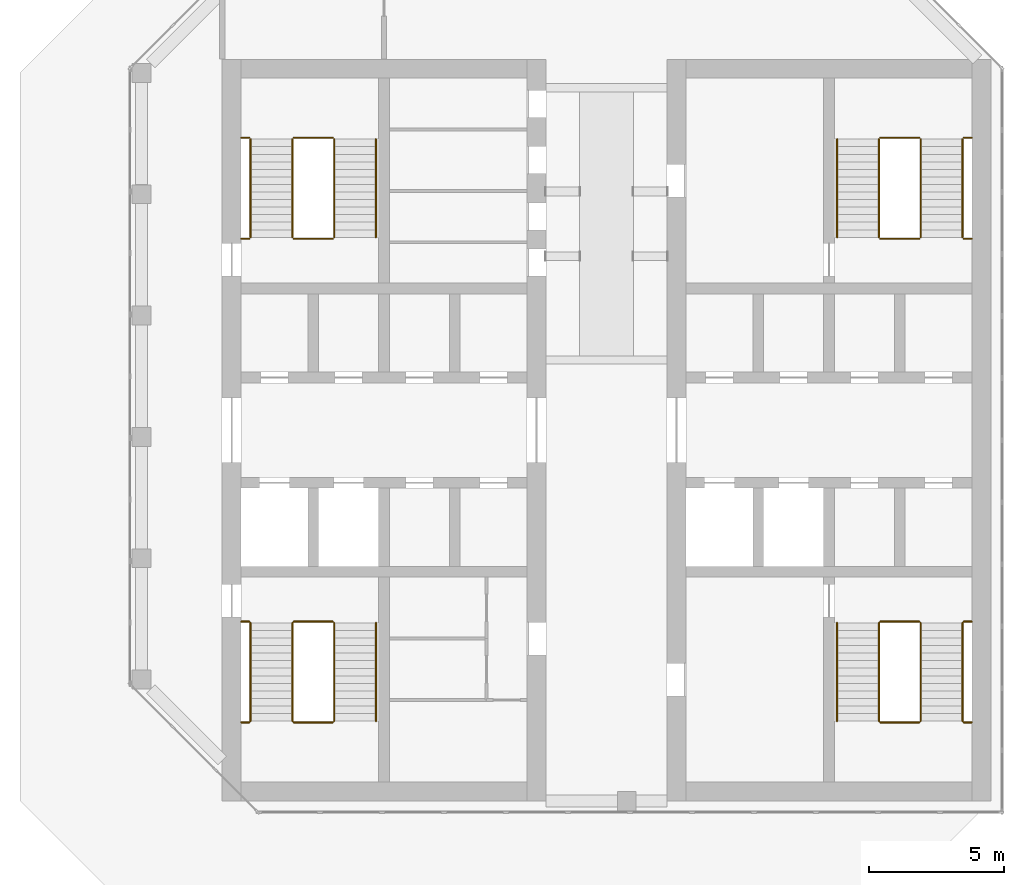
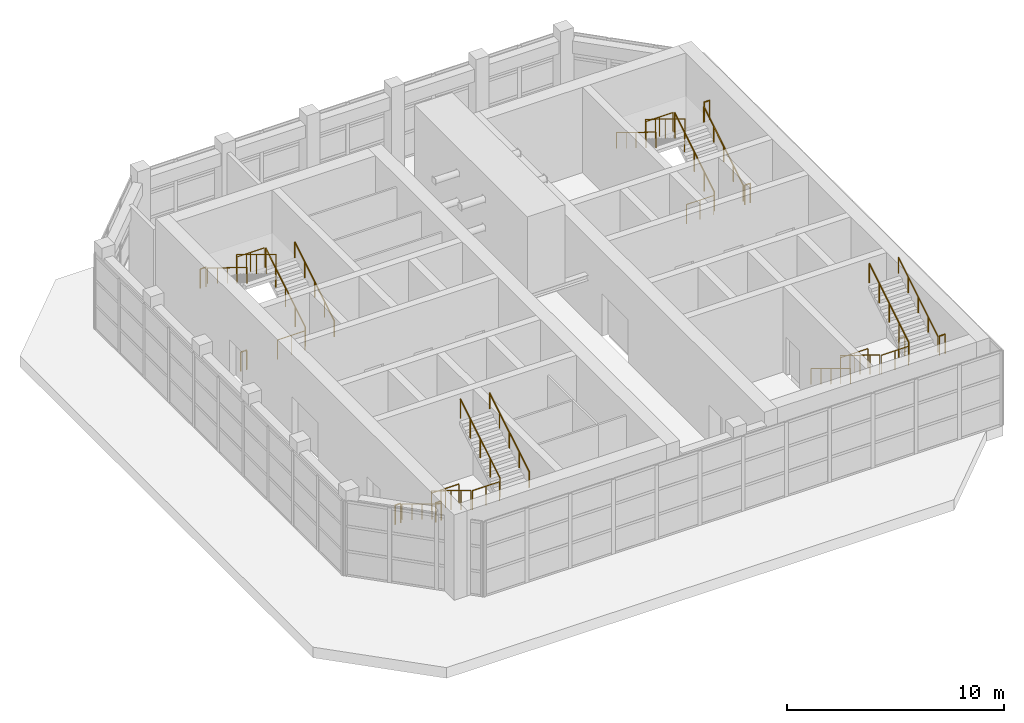
# One storey, part 13 of 13: 32 railings.
"""IFC4 building model written with IfcOpenShell, lengths in metres."""

from ifc_helpers import new_model, si_unit, direction, frame, origin, origin_2d, place, context, subcontext, project, spatial, circle, extrude, material, type_object, element, save


model = new_model("IFC4")

# Units and contexts
model_context = context("Model", 3, precision=1e-05, world=origin(), true_north=direction((0.0, 1.0)))
body_context = subcontext(model_context, "Body", "Model", "MODEL_VIEW")
ifc_project = project(units=[si_unit("LENGTHUNIT", "METRE"), si_unit("AREAUNIT", "SQUARE_METRE"), si_unit("VOLUMEUNIT", "CUBIC_METRE"), si_unit("PLANEANGLEUNIT", "RADIAN"), si_unit("MASSUNIT", "GRAM", prefix="KILO")], contexts=[model_context])

# Site, building, storey
site_placement = place(None, origin())
site = spatial("IfcSite", under=ifc_project, at=site_placement, CompositionType="ELEMENT")
building_placement = place(site_placement, origin())
building = spatial("IfcBuilding", under=site, at=building_placement, Name="Corbel Stack Research Tower", CompositionType="ELEMENT")
storey_placement = place(building_placement, frame((0.0, 0.0, 311.800048828125)))
storey = spatial("IfcBuildingStorey", under=building, at=storey_placement, Name="L70", CompositionType="ELEMENT", Elevation=311.800048828125)

# Railings
ifc_material_1 = material(Name="Steel S355", Category="steel")
railing_type_1 = type_object("IfcRailingType", Name="Stair guard 1100", PredefinedType="GUARDRAIL", material=ifc_material_1)
railing_1_placement = place(storey_placement, frame((-7.89990234375, -2.39990234375, 0.17138671875)))
element("IfcRailing", 1, at=railing_1_placement, inside=storey, type_object=railing_type_1, Name="L70 ST-W1 stair guard 1", PredefinedType="GUARDRAIL", context=body_context, shape_type="SweptSolid", body=[
    extrude(circle(Radius=0.02392578125, at=origin_2d()), frame((0.0, 0.0, 1.076171875), z_axis=(0.0, -0.852865859571, 0.52213008492), x_axis=(1.0, 0.0, 0.0)), (0.0, 0.0, 1.0), 4.26806640625),
    extrude(circle(Radius=0.02099609375, at=origin_2d()), origin(), (0.0, 0.0, 1.0), 1.052001953125),
    extrude(circle(Radius=0.02099609375, at=origin_2d()), frame((0.0, -0.91015625, 0.55712890625)), (0.0, 0.0, 1.0), 1.052001953125),
    extrude(circle(Radius=0.02099609375, at=origin_2d()), frame((0.0, -1.820068359375, 1.1142578125)), (0.0, 0.0, 1.0), 1.052001953125),
    extrude(circle(Radius=0.02099609375, at=origin_2d()), frame((0.0, -2.72998046875, 1.67138671875)), (0.0, 0.0, 1.0), 1.052001953125),
    extrude(circle(Radius=0.02099609375, at=origin_2d()), frame((0.0, -3.64013671875, 2.228515625)), (0.0, 0.0, 1.0), 1.052001953125),
])
railing_2_placement = place(storey_placement, frame((-7.85009765625, -6.090087890625, 2.39990234375)))
element("IfcRailing", 2, at=railing_2_placement, inside=storey, type_object=railing_type_1, Name="L70 ST-W1 stair guard 2", PredefinedType="GUARDRAIL", context=body_context, shape_type="SweptSolid", body=[
    extrude(circle(Radius=0.02392578125, at=origin_2d()), frame((0.0, 0.0, 1.076171875), z_axis=(1.0, 0.0, 0.0), x_axis=(0.0, 1.0, 0.0)), (0.0, 0.0, 1.0), 1.4501953125),
    extrude(circle(Radius=0.02099609375, at=origin_2d()), origin(), (0.0, 0.0, 1.0), 1.052001953125),
    extrude(circle(Radius=0.02099609375, at=origin_2d()), frame((0.72509765625, 0.0, 0.0)), (0.0, 0.0, 1.0), 1.052001953125),
    extrude(circle(Radius=0.02099609375, at=origin_2d()), frame((1.4501953125, 0.0, 0.0)), (0.0, 0.0, 1.0), 1.052001953125),
])
railing_3_placement = place(storey_placement, frame((-9.800048828125, -6.090087890625, 2.39990234375)))
element("IfcRailing", 3, at=railing_3_placement, inside=storey, type_object=railing_type_1, Name="L70 ST-W1 stair guard 3", PredefinedType="GUARDRAIL", context=body_context, shape_type="SweptSolid", body=[
    extrude(circle(Radius=0.02392578125, at=origin_2d()), frame((0.0, 0.0, 1.076171875), z_axis=(1.0, 0.0, 0.0), x_axis=(0.0, 1.0, 0.0)), (0.0, 0.0, 1.0), 0.300048828125),
    extrude(circle(Radius=0.02099609375, at=origin_2d()), origin(), (0.0, 0.0, 1.0), 1.052001953125),
    extrude(circle(Radius=0.02099609375, at=origin_2d()), frame((0.300048828125, 0.0, 0.0)), (0.0, 0.0, 1.0), 1.052001953125),
])
railing_4_placement = place(storey_placement, frame((-6.35009765625, -6.0400390625, 2.5712890625)))
element("IfcRailing", 4, at=railing_4_placement, inside=storey, type_object=railing_type_1, Name="L70 ST-W1 stair guard 4", PredefinedType="GUARDRAIL", context=body_context, shape_type="SweptSolid", body=[
    extrude(circle(Radius=0.02392578125, at=origin_2d()), frame((0.0, 0.0, 1.076171875), z_axis=(0.0, 0.852840387347, 0.522171689878), x_axis=(-1.0, 0.0, 0.0)), (0.0, 0.0, 1.0), 4.268310546875),
    extrude(circle(Radius=0.02099609375, at=origin_2d()), origin(), (0.0, 0.0, 1.0), 1.052001953125),
    extrude(circle(Radius=0.02099609375, at=origin_2d()), frame((0.0, 0.91015625, 0.55712890625)), (0.0, 0.0, 1.0), 1.052001953125),
    extrude(circle(Radius=0.02099609375, at=origin_2d()), frame((0.0, 1.820068359375, 1.1142578125)), (0.0, 0.0, 1.0), 1.052001953125),
    extrude(circle(Radius=0.02099609375, at=origin_2d()), frame((0.0, 2.72998046875, 1.671630859375)), (0.0, 0.0, 1.0), 1.052001953125),
    extrude(circle(Radius=0.02099609375, at=origin_2d()), frame((0.0, 3.64013671875, 2.228759765625)), (0.0, 0.0, 1.0), 1.052001953125),
])
railing_5_placement = place(storey_placement, frame((-7.85009765625, -2.35009765625, 0.0)))
element("IfcRailing", 5, at=railing_5_placement, inside=storey, type_object=railing_type_1, Name="L70 ST-W1 stair guard 5", PredefinedType="GUARDRAIL", context=body_context, shape_type="SweptSolid", body=[
    extrude(circle(Radius=0.02392578125, at=origin_2d()), frame((0.0, 0.0, 1.076171875), z_axis=(1.0, 0.0, 0.0), x_axis=(0.0, 1.0, 0.0)), (0.0, 0.0, 1.0), 1.4501953125),
    extrude(circle(Radius=0.02099609375, at=origin_2d()), origin(), (0.0, 0.0, 1.0), 1.052001953125),
    extrude(circle(Radius=0.02099609375, at=origin_2d()), frame((0.72509765625, 0.0, 0.0)), (0.0, 0.0, 1.0), 1.052001953125),
    extrude(circle(Radius=0.02099609375, at=origin_2d()), frame((1.4501953125, 0.0, 0.0)), (0.0, 0.0, 1.0), 1.052001953125),
])
railing_6_placement = place(storey_placement, frame((-9.800048828125, -2.35009765625, 0.0)))
element("IfcRailing", 6, at=railing_6_placement, inside=storey, type_object=railing_type_1, Name="L70 ST-W1 stair guard 6", PredefinedType="GUARDRAIL", context=body_context, shape_type="SweptSolid", body=[
    extrude(circle(Radius=0.02392578125, at=origin_2d()), frame((0.0, 0.0, 1.076171875), z_axis=(1.0, 0.0, 0.0), x_axis=(0.0, 1.0, 0.0)), (0.0, 0.0, 1.0), 0.300048828125),
    extrude(circle(Radius=0.02099609375, at=origin_2d()), origin(), (0.0, 0.0, 1.0), 1.052001953125),
    extrude(circle(Radius=0.02099609375, at=origin_2d()), frame((0.300048828125, 0.0, 0.0)), (0.0, 0.0, 1.0), 1.052001953125),
])
railing_7_placement = place(storey_placement, frame((-6.35009765625, 11.89990234375, 0.17138671875)))
element("IfcRailing", 7, at=railing_7_placement, inside=storey, type_object=railing_type_1, Name="L70 ST-W2 stair guard 1", PredefinedType="GUARDRAIL", context=body_context, shape_type="SweptSolid", body=[
    extrude(circle(Radius=0.02392578125, at=origin_2d()), frame((0.0, 0.0, 1.076171875), z_axis=(0.0, 0.852865859571, 0.52213008492), x_axis=(-1.0, 0.0, 0.0)), (0.0, 0.0, 1.0), 4.26806640625),
    extrude(circle(Radius=0.02099609375, at=origin_2d()), origin(), (0.0, 0.0, 1.0), 1.052001953125),
    extrude(circle(Radius=0.02099609375, at=origin_2d()), frame((0.0, 0.91015625, 0.55712890625)), (0.0, 0.0, 1.0), 1.052001953125),
    extrude(circle(Radius=0.02099609375, at=origin_2d()), frame((0.0, 1.820068359375, 1.1142578125)), (0.0, 0.0, 1.0), 1.052001953125),
    extrude(circle(Radius=0.02099609375, at=origin_2d()), frame((0.0, 2.72998046875, 1.67138671875)), (0.0, 0.0, 1.0), 1.052001953125),
    extrude(circle(Radius=0.02099609375, at=origin_2d()), frame((0.0, 3.64013671875, 2.228515625)), (0.0, 0.0, 1.0), 1.052001953125),
])
railing_8_placement = place(storey_placement, frame((-6.39990234375, 15.590087890625, 2.39990234375)))
element("IfcRailing", 8, at=railing_8_placement, inside=storey, type_object=railing_type_1, Name="L70 ST-W2 stair guard 2", PredefinedType="GUARDRAIL", context=body_context, shape_type="SweptSolid", body=[
    extrude(circle(Radius=0.02392578125, at=origin_2d()), frame((0.0, 0.0, 1.076171875), z_axis=(-1.0, 0.0, 0.0), x_axis=(0.0, -1.0, 0.0)), (0.0, 0.0, 1.0), 1.4501953125),
    extrude(circle(Radius=0.02099609375, at=origin_2d()), origin(), (0.0, 0.0, 1.0), 1.052001953125),
    extrude(circle(Radius=0.02099609375, at=origin_2d()), frame((-0.72509765625, 0.0, 0.0)), (0.0, 0.0, 1.0), 1.052001953125),
    extrude(circle(Radius=0.02099609375, at=origin_2d()), frame((-1.4501953125, 0.0, 0.0)), (0.0, 0.0, 1.0), 1.052001953125),
])
railing_9_placement = place(storey_placement, frame((-9.5, 15.590087890625, 2.39990234375)))
element("IfcRailing", 9, at=railing_9_placement, inside=storey, type_object=railing_type_1, Name="L70 ST-W2 stair guard 3", PredefinedType="GUARDRAIL", context=body_context, shape_type="SweptSolid", body=[
    extrude(circle(Radius=0.02392578125, at=origin_2d()), frame((0.0, 0.0, 1.076171875), z_axis=(-1.0, 0.0, 0.0), x_axis=(0.0, -1.0, 0.0)), (0.0, 0.0, 1.0), 0.300048828125),
    extrude(circle(Radius=0.02099609375, at=origin_2d()), origin(), (0.0, 0.0, 1.0), 1.052001953125),
    extrude(circle(Radius=0.02099609375, at=origin_2d()), frame((-0.300048828125, 0.0, 0.0)), (0.0, 0.0, 1.0), 1.052001953125),
])
railing_10_placement = place(storey_placement, frame((-7.89990234375, 15.5400390625, 2.5712890625)))
element("IfcRailing", 10, at=railing_10_placement, inside=storey, type_object=railing_type_1, Name="L70 ST-W2 stair guard 4", PredefinedType="GUARDRAIL", context=body_context, shape_type="SweptSolid", body=[
    extrude(circle(Radius=0.02392578125, at=origin_2d()), frame((0.0, 0.0, 1.076171875), z_axis=(0.0, -0.852840387347, 0.522171689878), x_axis=(1.0, 0.0, 0.0)), (0.0, 0.0, 1.0), 4.268310546875),
    extrude(circle(Radius=0.02099609375, at=origin_2d()), origin(), (0.0, 0.0, 1.0), 1.052001953125),
    extrude(circle(Radius=0.02099609375, at=origin_2d()), frame((0.0, -0.91015625, 0.55712890625)), (0.0, 0.0, 1.0), 1.052001953125),
    extrude(circle(Radius=0.02099609375, at=origin_2d()), frame((0.0, -1.820068359375, 1.1142578125)), (0.0, 0.0, 1.0), 1.052001953125),
    extrude(circle(Radius=0.02099609375, at=origin_2d()), frame((0.0, -2.72998046875, 1.671630859375)), (0.0, 0.0, 1.0), 1.052001953125),
    extrude(circle(Radius=0.02099609375, at=origin_2d()), frame((0.0, -3.64013671875, 2.228759765625)), (0.0, 0.0, 1.0), 1.052001953125),
])
railing_11_placement = place(storey_placement, frame((-6.39990234375, 11.85009765625, 0.0)))
element("IfcRailing", 11, at=railing_11_placement, inside=storey, type_object=railing_type_1, Name="L70 ST-W2 stair guard 5", PredefinedType="GUARDRAIL", context=body_context, shape_type="SweptSolid", body=[
    extrude(circle(Radius=0.02392578125, at=origin_2d()), frame((0.0, 0.0, 1.076171875), z_axis=(-1.0, 0.0, 0.0), x_axis=(0.0, -1.0, 0.0)), (0.0, 0.0, 1.0), 1.4501953125),
    extrude(circle(Radius=0.02099609375, at=origin_2d()), origin(), (0.0, 0.0, 1.0), 1.052001953125),
    extrude(circle(Radius=0.02099609375, at=origin_2d()), frame((-0.72509765625, 0.0, 0.0)), (0.0, 0.0, 1.0), 1.052001953125),
    extrude(circle(Radius=0.02099609375, at=origin_2d()), frame((-1.4501953125, 0.0, 0.0)), (0.0, 0.0, 1.0), 1.052001953125),
])
railing_12_placement = place(storey_placement, frame((-9.5, 11.85009765625, 0.0)))
element("IfcRailing", 12, at=railing_12_placement, inside=storey, type_object=railing_type_1, Name="L70 ST-W2 stair guard 6", PredefinedType="GUARDRAIL", context=body_context, shape_type="SweptSolid", body=[
    extrude(circle(Radius=0.02392578125, at=origin_2d()), frame((0.0, 0.0, 1.076171875), z_axis=(-1.0, 0.0, 0.0), x_axis=(0.0, -1.0, 0.0)), (0.0, 0.0, 1.0), 0.300048828125),
    extrude(circle(Radius=0.02099609375, at=origin_2d()), origin(), (0.0, 0.0, 1.0), 1.052001953125),
    extrude(circle(Radius=0.02099609375, at=origin_2d()), frame((-0.300048828125, 0.0, 0.0)), (0.0, 0.0, 1.0), 1.052001953125),
])
railing_13_placement = place(storey_placement, frame((13.85009765625, -2.39990234375, 0.17138671875)))
element("IfcRailing", 13, at=railing_13_placement, inside=storey, type_object=railing_type_1, Name="L70 ST-E1 stair guard 1", PredefinedType="GUARDRAIL", context=body_context, shape_type="SweptSolid", body=[
    extrude(circle(Radius=0.02392578125, at=origin_2d()), frame((0.0, 0.0, 1.076171875), z_axis=(0.0, -0.852865859571, 0.52213008492), x_axis=(1.0, 0.0, 0.0)), (0.0, 0.0, 1.0), 4.26806640625),
    extrude(circle(Radius=0.02099609375, at=origin_2d()), origin(), (0.0, 0.0, 1.0), 1.052001953125),
    extrude(circle(Radius=0.02099609375, at=origin_2d()), frame((0.0, -0.91015625, 0.55712890625)), (0.0, 0.0, 1.0), 1.052001953125),
    extrude(circle(Radius=0.02099609375, at=origin_2d()), frame((0.0, -1.820068359375, 1.1142578125)), (0.0, 0.0, 1.0), 1.052001953125),
    extrude(circle(Radius=0.02099609375, at=origin_2d()), frame((0.0, -2.72998046875, 1.67138671875)), (0.0, 0.0, 1.0), 1.052001953125),
    extrude(circle(Radius=0.02099609375, at=origin_2d()), frame((0.0, -3.64013671875, 2.228515625)), (0.0, 0.0, 1.0), 1.052001953125),
])
railing_14_placement = place(storey_placement, frame((13.89990234375, -6.090087890625, 2.39990234375)))
element("IfcRailing", 14, at=railing_14_placement, inside=storey, type_object=railing_type_1, Name="L70 ST-E1 stair guard 2", PredefinedType="GUARDRAIL", context=body_context, shape_type="SweptSolid", body=[
    extrude(circle(Radius=0.02392578125, at=origin_2d()), frame((0.0, 0.0, 1.076171875), z_axis=(1.0, 0.0, 0.0), x_axis=(0.0, 1.0, 0.0)), (0.0, 0.0, 1.0), 1.4501953125),
    extrude(circle(Radius=0.02099609375, at=origin_2d()), origin(), (0.0, 0.0, 1.0), 1.052001953125),
    extrude(circle(Radius=0.02099609375, at=origin_2d()), frame((0.72509765625, 0.0, 0.0)), (0.0, 0.0, 1.0), 1.052001953125),
    extrude(circle(Radius=0.02099609375, at=origin_2d()), frame((1.4501953125, 0.0, 0.0)), (0.0, 0.0, 1.0), 1.052001953125),
])
railing_15_placement = place(storey_placement, frame((17.0, -6.090087890625, 2.39990234375)))
element("IfcRailing", 15, at=railing_15_placement, inside=storey, type_object=railing_type_1, Name="L70 ST-E1 stair guard 3", PredefinedType="GUARDRAIL", context=body_context, shape_type="SweptSolid", body=[
    extrude(circle(Radius=0.02392578125, at=origin_2d()), frame((0.0, 0.0, 1.076171875), z_axis=(1.0, 0.0, 0.0), x_axis=(0.0, 1.0, 0.0)), (0.0, 0.0, 1.0), 0.300048828125),
    extrude(circle(Radius=0.02099609375, at=origin_2d()), origin(), (0.0, 0.0, 1.0), 1.052001953125),
    extrude(circle(Radius=0.02099609375, at=origin_2d()), frame((0.300048828125, 0.0, 0.0)), (0.0, 0.0, 1.0), 1.052001953125),
])
railing_16_placement = place(storey_placement, frame((15.39990234375, -6.0400390625, 2.5712890625)))
element("IfcRailing", 16, at=railing_16_placement, inside=storey, type_object=railing_type_1, Name="L70 ST-E1 stair guard 4", PredefinedType="GUARDRAIL", context=body_context, shape_type="SweptSolid", body=[
    extrude(circle(Radius=0.02392578125, at=origin_2d()), frame((0.0, 0.0, 1.076171875), z_axis=(0.0, 0.852840387347, 0.522171689878), x_axis=(-1.0, 0.0, 0.0)), (0.0, 0.0, 1.0), 4.268310546875),
    extrude(circle(Radius=0.02099609375, at=origin_2d()), origin(), (0.0, 0.0, 1.0), 1.052001953125),
    extrude(circle(Radius=0.02099609375, at=origin_2d()), frame((0.0, 0.91015625, 0.55712890625)), (0.0, 0.0, 1.0), 1.052001953125),
    extrude(circle(Radius=0.02099609375, at=origin_2d()), frame((0.0, 1.820068359375, 1.1142578125)), (0.0, 0.0, 1.0), 1.052001953125),
    extrude(circle(Radius=0.02099609375, at=origin_2d()), frame((0.0, 2.72998046875, 1.671630859375)), (0.0, 0.0, 1.0), 1.052001953125),
    extrude(circle(Radius=0.02099609375, at=origin_2d()), frame((0.0, 3.64013671875, 2.228759765625)), (0.0, 0.0, 1.0), 1.052001953125),
])
railing_17_placement = place(storey_placement, frame((13.89990234375, -2.35009765625, 0.0)))
element("IfcRailing", 17, at=railing_17_placement, inside=storey, type_object=railing_type_1, Name="L70 ST-E1 stair guard 5", PredefinedType="GUARDRAIL", context=body_context, shape_type="SweptSolid", body=[
    extrude(circle(Radius=0.02392578125, at=origin_2d()), frame((0.0, 0.0, 1.076171875), z_axis=(1.0, 0.0, 0.0), x_axis=(0.0, 1.0, 0.0)), (0.0, 0.0, 1.0), 1.4501953125),
    extrude(circle(Radius=0.02099609375, at=origin_2d()), origin(), (0.0, 0.0, 1.0), 1.052001953125),
    extrude(circle(Radius=0.02099609375, at=origin_2d()), frame((0.72509765625, 0.0, 0.0)), (0.0, 0.0, 1.0), 1.052001953125),
    extrude(circle(Radius=0.02099609375, at=origin_2d()), frame((1.4501953125, 0.0, 0.0)), (0.0, 0.0, 1.0), 1.052001953125),
])
railing_18_placement = place(storey_placement, frame((17.0, -2.35009765625, 0.0)))
element("IfcRailing", 18, at=railing_18_placement, inside=storey, type_object=railing_type_1, Name="L70 ST-E1 stair guard 6", PredefinedType="GUARDRAIL", context=body_context, shape_type="SweptSolid", body=[
    extrude(circle(Radius=0.02392578125, at=origin_2d()), frame((0.0, 0.0, 1.076171875), z_axis=(1.0, 0.0, 0.0), x_axis=(0.0, 1.0, 0.0)), (0.0, 0.0, 1.0), 0.300048828125),
    extrude(circle(Radius=0.02099609375, at=origin_2d()), origin(), (0.0, 0.0, 1.0), 1.052001953125),
    extrude(circle(Radius=0.02099609375, at=origin_2d()), frame((0.300048828125, 0.0, 0.0)), (0.0, 0.0, 1.0), 1.052001953125),
])
railing_19_placement = place(storey_placement, frame((15.39990234375, 11.89990234375, 0.17138671875)))
element("IfcRailing", 19, at=railing_19_placement, inside=storey, type_object=railing_type_1, Name="L70 ST-E2 stair guard 1", PredefinedType="GUARDRAIL", context=body_context, shape_type="SweptSolid", body=[
    extrude(circle(Radius=0.02392578125, at=origin_2d()), frame((0.0, 0.0, 1.076171875), z_axis=(0.0, 0.852865859571, 0.52213008492), x_axis=(-1.0, 0.0, 0.0)), (0.0, 0.0, 1.0), 4.26806640625),
    extrude(circle(Radius=0.02099609375, at=origin_2d()), origin(), (0.0, 0.0, 1.0), 1.052001953125),
    extrude(circle(Radius=0.02099609375, at=origin_2d()), frame((0.0, 0.91015625, 0.55712890625)), (0.0, 0.0, 1.0), 1.052001953125),
    extrude(circle(Radius=0.02099609375, at=origin_2d()), frame((0.0, 1.820068359375, 1.1142578125)), (0.0, 0.0, 1.0), 1.052001953125),
    extrude(circle(Radius=0.02099609375, at=origin_2d()), frame((0.0, 2.72998046875, 1.67138671875)), (0.0, 0.0, 1.0), 1.052001953125),
    extrude(circle(Radius=0.02099609375, at=origin_2d()), frame((0.0, 3.64013671875, 2.228515625)), (0.0, 0.0, 1.0), 1.052001953125),
])
railing_20_placement = place(storey_placement, frame((15.35009765625, 15.590087890625, 2.39990234375)))
element("IfcRailing", 20, at=railing_20_placement, inside=storey, type_object=railing_type_1, Name="L70 ST-E2 stair guard 2", PredefinedType="GUARDRAIL", context=body_context, shape_type="SweptSolid", body=[
    extrude(circle(Radius=0.02392578125, at=origin_2d()), frame((0.0, 0.0, 1.076171875), z_axis=(-1.0, 0.0, 0.0), x_axis=(0.0, -1.0, 0.0)), (0.0, 0.0, 1.0), 1.4501953125),
    extrude(circle(Radius=0.02099609375, at=origin_2d()), origin(), (0.0, 0.0, 1.0), 1.052001953125),
    extrude(circle(Radius=0.02099609375, at=origin_2d()), frame((-0.72509765625, 0.0, 0.0)), (0.0, 0.0, 1.0), 1.052001953125),
    extrude(circle(Radius=0.02099609375, at=origin_2d()), frame((-1.4501953125, 0.0, 0.0)), (0.0, 0.0, 1.0), 1.052001953125),
])
railing_21_placement = place(storey_placement, frame((17.300048828125, 15.590087890625, 2.39990234375)))
element("IfcRailing", 21, at=railing_21_placement, inside=storey, type_object=railing_type_1, Name="L70 ST-E2 stair guard 3", PredefinedType="GUARDRAIL", context=body_context, shape_type="SweptSolid", body=[
    extrude(circle(Radius=0.02392578125, at=origin_2d()), frame((0.0, 0.0, 1.076171875), z_axis=(-1.0, 0.0, 0.0), x_axis=(0.0, -1.0, 0.0)), (0.0, 0.0, 1.0), 0.300048828125),
    extrude(circle(Radius=0.02099609375, at=origin_2d()), origin(), (0.0, 0.0, 1.0), 1.052001953125),
    extrude(circle(Radius=0.02099609375, at=origin_2d()), frame((-0.300048828125, 0.0, 0.0)), (0.0, 0.0, 1.0), 1.052001953125),
])
railing_22_placement = place(storey_placement, frame((13.85009765625, 15.5400390625, 2.5712890625)))
element("IfcRailing", 22, at=railing_22_placement, inside=storey, type_object=railing_type_1, Name="L70 ST-E2 stair guard 4", PredefinedType="GUARDRAIL", context=body_context, shape_type="SweptSolid", body=[
    extrude(circle(Radius=0.02392578125, at=origin_2d()), frame((0.0, 0.0, 1.076171875), z_axis=(0.0, -0.852840387347, 0.522171689878), x_axis=(1.0, 0.0, 0.0)), (0.0, 0.0, 1.0), 4.268310546875),
    extrude(circle(Radius=0.02099609375, at=origin_2d()), origin(), (0.0, 0.0, 1.0), 1.052001953125),
    extrude(circle(Radius=0.02099609375, at=origin_2d()), frame((0.0, -0.91015625, 0.55712890625)), (0.0, 0.0, 1.0), 1.052001953125),
    extrude(circle(Radius=0.02099609375, at=origin_2d()), frame((0.0, -1.820068359375, 1.1142578125)), (0.0, 0.0, 1.0), 1.052001953125),
    extrude(circle(Radius=0.02099609375, at=origin_2d()), frame((0.0, -2.72998046875, 1.671630859375)), (0.0, 0.0, 1.0), 1.052001953125),
    extrude(circle(Radius=0.02099609375, at=origin_2d()), frame((0.0, -3.64013671875, 2.228759765625)), (0.0, 0.0, 1.0), 1.052001953125),
])
railing_23_placement = place(storey_placement, frame((15.35009765625, 11.85009765625, 0.0)))
element("IfcRailing", 23, at=railing_23_placement, inside=storey, type_object=railing_type_1, Name="L70 ST-E2 stair guard 5", PredefinedType="GUARDRAIL", context=body_context, shape_type="SweptSolid", body=[
    extrude(circle(Radius=0.02392578125, at=origin_2d()), frame((0.0, 0.0, 1.076171875), z_axis=(-1.0, 0.0, 0.0), x_axis=(0.0, -1.0, 0.0)), (0.0, 0.0, 1.0), 1.4501953125),
    extrude(circle(Radius=0.02099609375, at=origin_2d()), origin(), (0.0, 0.0, 1.0), 1.052001953125),
    extrude(circle(Radius=0.02099609375, at=origin_2d()), frame((-0.72509765625, 0.0, 0.0)), (0.0, 0.0, 1.0), 1.052001953125),
    extrude(circle(Radius=0.02099609375, at=origin_2d()), frame((-1.4501953125, 0.0, 0.0)), (0.0, 0.0, 1.0), 1.052001953125),
])
railing_24_placement = place(storey_placement, frame((17.300048828125, 11.85009765625, 0.0)))
element("IfcRailing", 24, at=railing_24_placement, inside=storey, type_object=railing_type_1, Name="L70 ST-E2 stair guard 6", PredefinedType="GUARDRAIL", context=body_context, shape_type="SweptSolid", body=[
    extrude(circle(Radius=0.02392578125, at=origin_2d()), frame((0.0, 0.0, 1.076171875), z_axis=(-1.0, 0.0, 0.0), x_axis=(0.0, -1.0, 0.0)), (0.0, 0.0, 1.0), 0.300048828125),
    extrude(circle(Radius=0.02099609375, at=origin_2d()), origin(), (0.0, 0.0, 1.0), 1.052001953125),
    extrude(circle(Radius=0.02099609375, at=origin_2d()), frame((-0.300048828125, 0.0, 0.0)), (0.0, 0.0, 1.0), 1.052001953125),
])
ifc_material_2 = material(Name="Steel S355", Category="steel")
railing_type_2 = type_object("IfcRailingType", Name="Stair handrail 900", PredefinedType="HANDRAIL", material=ifc_material_2)
railing_25_placement = place(storey_placement, frame((-9.449951171875, -2.39990234375, 0.17138671875)))
element("IfcRailing", 25, at=railing_25_placement, inside=storey, type_object=railing_type_2, Name="L70 ST-W1 stair handrail 1", PredefinedType="HANDRAIL", context=body_context, shape_type="SweptSolid", body=[
    extrude(circle(Radius=0.02392578125, at=origin_2d()), frame((0.0, 0.0, 0.8759765625), z_axis=(0.0, -0.852865859571, 0.52213008492), x_axis=(1.0, 0.0, 0.0)), (0.0, 0.0, 1.0), 4.26806640625),
    extrude(circle(Radius=0.02099609375, at=origin_2d()), origin(), (0.0, 0.0, 1.0), 0.851806640625),
    extrude(circle(Radius=0.02099609375, at=origin_2d()), frame((0.0, -0.91015625, 0.55712890625)), (0.0, 0.0, 1.0), 0.851806640625),
    extrude(circle(Radius=0.02099609375, at=origin_2d()), frame((0.0, -1.820068359375, 1.1142578125)), (0.0, 0.0, 1.0), 0.851806640625),
    extrude(circle(Radius=0.02099609375, at=origin_2d()), frame((0.0, -2.72998046875, 1.67138671875)), (0.0, 0.0, 1.0), 0.851806640625),
    extrude(circle(Radius=0.02099609375, at=origin_2d()), frame((0.0, -3.64013671875, 2.228515625)), (0.0, 0.0, 1.0), 0.851806640625),
])
railing_26_placement = place(storey_placement, frame((-4.800048828125, -6.0400390625, 2.5712890625)))
element("IfcRailing", 26, at=railing_26_placement, inside=storey, type_object=railing_type_2, Name="L70 ST-W1 stair handrail 2", PredefinedType="HANDRAIL", context=body_context, shape_type="SweptSolid", body=[
    extrude(circle(Radius=0.02392578125, at=origin_2d()), frame((0.0, 0.0, 0.8759765625), z_axis=(0.0, 0.852840387347, 0.522171689878), x_axis=(-1.0, 0.0, 0.0)), (0.0, 0.0, 1.0), 4.268310546875),
    extrude(circle(Radius=0.02099609375, at=origin_2d()), origin(), (0.0, 0.0, 1.0), 0.851806640625),
    extrude(circle(Radius=0.02099609375, at=origin_2d()), frame((0.0, 0.91015625, 0.55712890625)), (0.0, 0.0, 1.0), 0.851806640625),
    extrude(circle(Radius=0.02099609375, at=origin_2d()), frame((0.0, 1.820068359375, 1.1142578125)), (0.0, 0.0, 1.0), 0.851806640625),
    extrude(circle(Radius=0.02099609375, at=origin_2d()), frame((0.0, 2.72998046875, 1.671630859375)), (0.0, 0.0, 1.0), 0.851806640625),
    extrude(circle(Radius=0.02099609375, at=origin_2d()), frame((0.0, 3.64013671875, 2.228759765625)), (0.0, 0.0, 1.0), 0.851806640625),
])
railing_27_placement = place(storey_placement, frame((-4.800048828125, 11.89990234375, 0.17138671875)))
element("IfcRailing", 27, at=railing_27_placement, inside=storey, type_object=railing_type_2, Name="L70 ST-W2 stair handrail 1", PredefinedType="HANDRAIL", context=body_context, shape_type="SweptSolid", body=[
    extrude(circle(Radius=0.02392578125, at=origin_2d()), frame((0.0, 0.0, 0.8759765625), z_axis=(0.0, 0.852865859571, 0.52213008492), x_axis=(-1.0, 0.0, 0.0)), (0.0, 0.0, 1.0), 4.26806640625),
    extrude(circle(Radius=0.02099609375, at=origin_2d()), origin(), (0.0, 0.0, 1.0), 0.851806640625),
    extrude(circle(Radius=0.02099609375, at=origin_2d()), frame((0.0, 0.91015625, 0.55712890625)), (0.0, 0.0, 1.0), 0.851806640625),
    extrude(circle(Radius=0.02099609375, at=origin_2d()), frame((0.0, 1.820068359375, 1.1142578125)), (0.0, 0.0, 1.0), 0.851806640625),
    extrude(circle(Radius=0.02099609375, at=origin_2d()), frame((0.0, 2.72998046875, 1.67138671875)), (0.0, 0.0, 1.0), 0.851806640625),
    extrude(circle(Radius=0.02099609375, at=origin_2d()), frame((0.0, 3.64013671875, 2.228515625)), (0.0, 0.0, 1.0), 0.851806640625),
])
railing_28_placement = place(storey_placement, frame((-9.449951171875, 15.5400390625, 2.5712890625)))
element("IfcRailing", 28, at=railing_28_placement, inside=storey, type_object=railing_type_2, Name="L70 ST-W2 stair handrail 2", PredefinedType="HANDRAIL", context=body_context, shape_type="SweptSolid", body=[
    extrude(circle(Radius=0.02392578125, at=origin_2d()), frame((0.0, 0.0, 0.8759765625), z_axis=(0.0, -0.852840387347, 0.522171689878), x_axis=(1.0, 0.0, 0.0)), (0.0, 0.0, 1.0), 4.268310546875),
    extrude(circle(Radius=0.02099609375, at=origin_2d()), origin(), (0.0, 0.0, 1.0), 0.851806640625),
    extrude(circle(Radius=0.02099609375, at=origin_2d()), frame((0.0, -0.91015625, 0.55712890625)), (0.0, 0.0, 1.0), 0.851806640625),
    extrude(circle(Radius=0.02099609375, at=origin_2d()), frame((0.0, -1.820068359375, 1.1142578125)), (0.0, 0.0, 1.0), 0.851806640625),
    extrude(circle(Radius=0.02099609375, at=origin_2d()), frame((0.0, -2.72998046875, 1.671630859375)), (0.0, 0.0, 1.0), 0.851806640625),
    extrude(circle(Radius=0.02099609375, at=origin_2d()), frame((0.0, -3.64013671875, 2.228759765625)), (0.0, 0.0, 1.0), 0.851806640625),
])
railing_29_placement = place(storey_placement, frame((12.300048828125, -2.39990234375, 0.17138671875)))
element("IfcRailing", 29, at=railing_29_placement, inside=storey, type_object=railing_type_2, Name="L70 ST-E1 stair handrail 1", PredefinedType="HANDRAIL", context=body_context, shape_type="SweptSolid", body=[
    extrude(circle(Radius=0.02392578125, at=origin_2d()), frame((0.0, 0.0, 0.8759765625), z_axis=(0.0, -0.852865859571, 0.52213008492), x_axis=(1.0, 0.0, 0.0)), (0.0, 0.0, 1.0), 4.26806640625),
    extrude(circle(Radius=0.02099609375, at=origin_2d()), origin(), (0.0, 0.0, 1.0), 0.851806640625),
    extrude(circle(Radius=0.02099609375, at=origin_2d()), frame((0.0, -0.91015625, 0.55712890625)), (0.0, 0.0, 1.0), 0.851806640625),
    extrude(circle(Radius=0.02099609375, at=origin_2d()), frame((0.0, -1.820068359375, 1.1142578125)), (0.0, 0.0, 1.0), 0.851806640625),
    extrude(circle(Radius=0.02099609375, at=origin_2d()), frame((0.0, -2.72998046875, 1.67138671875)), (0.0, 0.0, 1.0), 0.851806640625),
    extrude(circle(Radius=0.02099609375, at=origin_2d()), frame((0.0, -3.64013671875, 2.228515625)), (0.0, 0.0, 1.0), 0.851806640625),
])
railing_30_placement = place(storey_placement, frame((16.949951171875, -6.0400390625, 2.5712890625)))
element("IfcRailing", 30, at=railing_30_placement, inside=storey, type_object=railing_type_2, Name="L70 ST-E1 stair handrail 2", PredefinedType="HANDRAIL", context=body_context, shape_type="SweptSolid", body=[
    extrude(circle(Radius=0.02392578125, at=origin_2d()), frame((0.0, 0.0, 0.8759765625), z_axis=(0.0, 0.852840387347, 0.522171689878), x_axis=(-1.0, 0.0, 0.0)), (0.0, 0.0, 1.0), 4.268310546875),
    extrude(circle(Radius=0.02099609375, at=origin_2d()), origin(), (0.0, 0.0, 1.0), 0.851806640625),
    extrude(circle(Radius=0.02099609375, at=origin_2d()), frame((0.0, 0.91015625, 0.55712890625)), (0.0, 0.0, 1.0), 0.851806640625),
    extrude(circle(Radius=0.02099609375, at=origin_2d()), frame((0.0, 1.820068359375, 1.1142578125)), (0.0, 0.0, 1.0), 0.851806640625),
    extrude(circle(Radius=0.02099609375, at=origin_2d()), frame((0.0, 2.72998046875, 1.671630859375)), (0.0, 0.0, 1.0), 0.851806640625),
    extrude(circle(Radius=0.02099609375, at=origin_2d()), frame((0.0, 3.64013671875, 2.228759765625)), (0.0, 0.0, 1.0), 0.851806640625),
])
railing_31_placement = place(storey_placement, frame((16.949951171875, 11.89990234375, 0.17138671875)))
element("IfcRailing", 31, at=railing_31_placement, inside=storey, type_object=railing_type_2, Name="L70 ST-E2 stair handrail 1", PredefinedType="HANDRAIL", context=body_context, shape_type="SweptSolid", body=[
    extrude(circle(Radius=0.02392578125, at=origin_2d()), frame((0.0, 0.0, 0.8759765625), z_axis=(0.0, 0.852865859571, 0.52213008492), x_axis=(-1.0, 0.0, 0.0)), (0.0, 0.0, 1.0), 4.26806640625),
    extrude(circle(Radius=0.02099609375, at=origin_2d()), origin(), (0.0, 0.0, 1.0), 0.851806640625),
    extrude(circle(Radius=0.02099609375, at=origin_2d()), frame((0.0, 0.91015625, 0.55712890625)), (0.0, 0.0, 1.0), 0.851806640625),
    extrude(circle(Radius=0.02099609375, at=origin_2d()), frame((0.0, 1.820068359375, 1.1142578125)), (0.0, 0.0, 1.0), 0.851806640625),
    extrude(circle(Radius=0.02099609375, at=origin_2d()), frame((0.0, 2.72998046875, 1.67138671875)), (0.0, 0.0, 1.0), 0.851806640625),
    extrude(circle(Radius=0.02099609375, at=origin_2d()), frame((0.0, 3.64013671875, 2.228515625)), (0.0, 0.0, 1.0), 0.851806640625),
])
railing_32_placement = place(storey_placement, frame((12.300048828125, 15.5400390625, 2.5712890625)))
element("IfcRailing", 32, at=railing_32_placement, inside=storey, type_object=railing_type_2, Name="L70 ST-E2 stair handrail 2", PredefinedType="HANDRAIL", context=body_context, shape_type="SweptSolid", body=[
    extrude(circle(Radius=0.02392578125, at=origin_2d()), frame((0.0, 0.0, 0.8759765625), z_axis=(0.0, -0.852840387347, 0.522171689878), x_axis=(1.0, 0.0, 0.0)), (0.0, 0.0, 1.0), 4.268310546875),
    extrude(circle(Radius=0.02099609375, at=origin_2d()), origin(), (0.0, 0.0, 1.0), 0.851806640625),
    extrude(circle(Radius=0.02099609375, at=origin_2d()), frame((0.0, -0.91015625, 0.55712890625)), (0.0, 0.0, 1.0), 0.851806640625),
    extrude(circle(Radius=0.02099609375, at=origin_2d()), frame((0.0, -1.820068359375, 1.1142578125)), (0.0, 0.0, 1.0), 0.851806640625),
    extrude(circle(Radius=0.02099609375, at=origin_2d()), frame((0.0, -2.72998046875, 1.671630859375)), (0.0, 0.0, 1.0), 0.851806640625),
    extrude(circle(Radius=0.02099609375, at=origin_2d()), frame((0.0, -3.64013671875, 2.228759765625)), (0.0, 0.0, 1.0), 0.851806640625),
])

save(model, "model.ifc")
